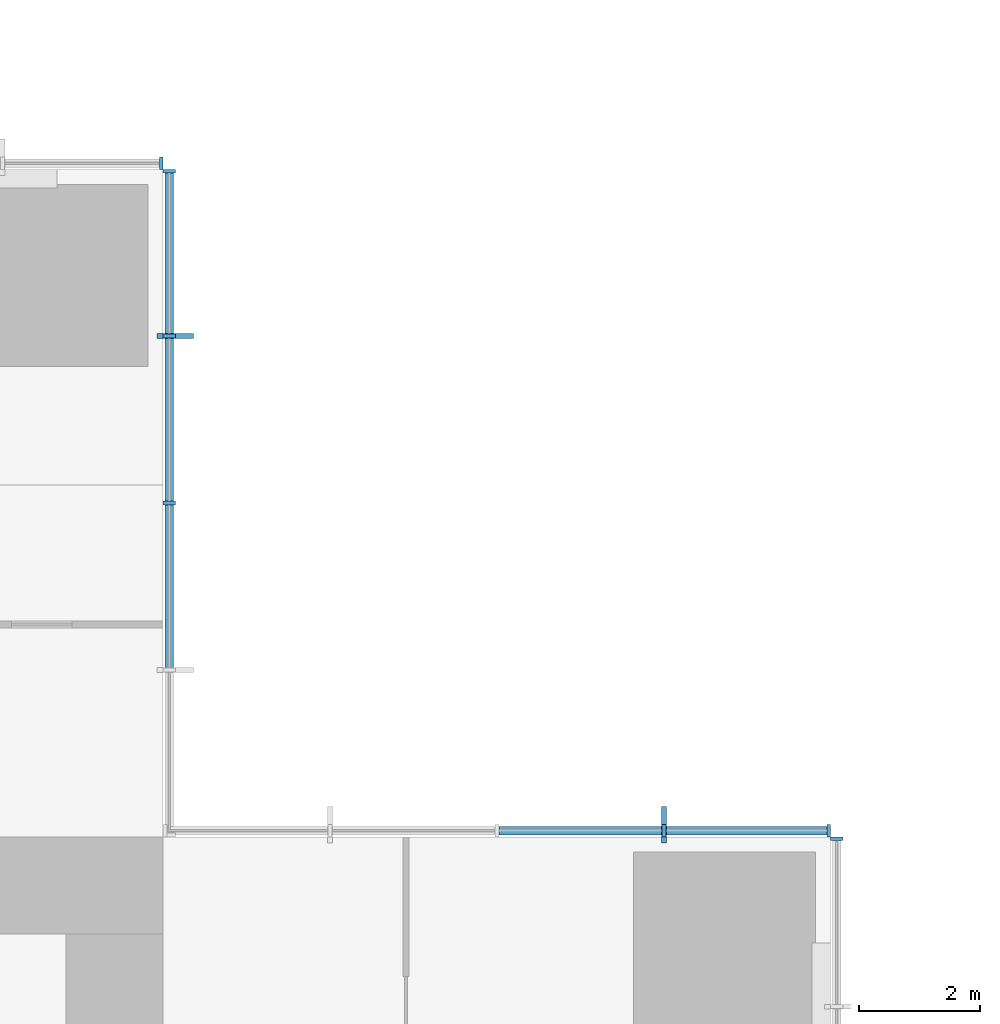
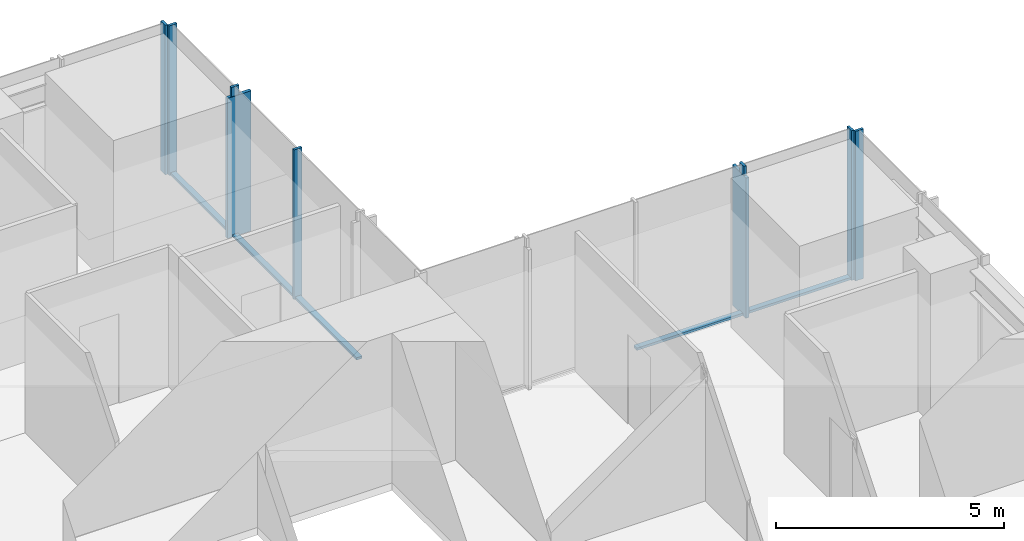
# One storey, part 6 of 14: 14 members, 4 elements without a shape of their own.
"""IFC4 building model written with IfcOpenShell, lengths in metres."""

from ifc_helpers import new_model, si_unit, direction, frame, origin, origin_2d, place, context, subcontext, project, spatial, rectangle, extrude, material, material_profile, profile_set, type_object, element, aggregate, save


model = new_model("IFC4")

# Units and contexts
model_context = context("Model", 3, precision=1e-05, world=origin(), true_north=direction((0.0, 1.0)))
body_context = subcontext(model_context, "Body", "Model", "MODEL_VIEW")
ifc_project = project(units=[si_unit("LENGTHUNIT", "METRE"), si_unit("AREAUNIT", "SQUARE_METRE"), si_unit("VOLUMEUNIT", "CUBIC_METRE"), si_unit("PLANEANGLEUNIT", "RADIAN"), si_unit("MASSUNIT", "GRAM", prefix="KILO")], contexts=[model_context])

# Site, building, storey
site_placement = place(None, origin())
site = spatial("IfcSite", under=ifc_project, at=site_placement, CompositionType="ELEMENT")
building_placement = place(site_placement, origin())
building = spatial("IfcBuilding", under=site, at=building_placement, Name="Svetlomir Tower", CompositionType="ELEMENT")
storey_placement = place(building_placement, frame((0.0, 0.0, 108.5)))
storey = spatial("IfcBuildingStorey", under=building, at=storey_placement, Name="L25", CompositionType="ELEMENT", Elevation=108.5)

# Curtain wall, member
ifc_material_1 = material(Name="Bronze anodised aluminium curtain wall", Category="aluminium")
curtain_wall_type = type_object("IfcCurtainWallType", Name="CURTAIN WALL CW1 TOWER OFFICE", PredefinedType="NOTDEFINED", material=ifc_material_1)
curtain_wall_1_placement = place(storey_placement, origin())
curtain_wall_1 = element("IfcCurtainWall", 1, at=curtain_wall_1_placement, inside=storey, type_object=curtain_wall_type, Name="Curtain wall CW1 L25", PredefinedType="NOTDEFINED")
ifc_material_2 = material(Name="Bronze anodised aluminium", Category="aluminium")
ifc_material_profile_1 = material_profile(ifc_material_2, rectangle(XDim=0.080078125, YDim=0.60009765625, at=origin_2d()), Name="FIN 80x600")
ifc_profile_set_1 = profile_set([ifc_material_profile_1], Name="Bronze anodised aluminium 6063-T6")
member_type_1 = type_object("IfcMemberType", Name="BRONZE FIN 80x600", PredefinedType="USERDEFINED", material=ifc_profile_set_1)
member_1_placement = place(storey_placement, frame((39.25, 31.199951171875, 0.0), z_axis=(0.0, 0.0, 1.0), x_axis=(1.0, 0.0, 0.0)))
member_1 = element("IfcMember", 2, at=member_1_placement, type_object=member_type_1, Name="Bronze fin L25", ObjectType="FIN", PredefinedType="USERDEFINED", context=body_context, shape_type="SweptSolid", body=[
    extrude(rectangle(XDim=0.080078125, YDim=0.60009765625, at=origin_2d()), origin(), (0.0, 0.0, 1.0), 3.75),
])

curtain_wall_2_placement = place(storey_placement, origin())
curtain_wall_2 = element("IfcCurtainWall", 3, at=curtain_wall_2_placement, inside=storey, type_object=curtain_wall_type, Name="Curtain wall CW1 L25", PredefinedType="NOTDEFINED")
member_2_placement = place(storey_placement, frame((31.199951171875, 39.25, 0.0), z_axis=(0.0, 0.0, 1.0), x_axis=(0.0, 1.0, 0.0)))
member_2 = element("IfcMember", 4, at=member_2_placement, type_object=member_type_1, Name="Bronze fin L25", ObjectType="FIN", PredefinedType="USERDEFINED", context=body_context, shape_type="SweptSolid", body=[
    extrude(rectangle(XDim=0.080078125, YDim=0.60009765625, at=origin_2d()), origin(), (0.0, 0.0, 1.0), 3.75),
])

curtain_wall_3_placement = place(storey_placement, origin())
curtain_wall_3 = element("IfcCurtainWall", 5, at=curtain_wall_3_placement, inside=storey, type_object=curtain_wall_type, Name="Curtain wall CW1 L25", PredefinedType="NOTDEFINED")
ifc_material_3 = material(Name="Bronze anodised aluminium", Category="aluminium")
ifc_material_profile_2 = material_profile(ifc_material_3, rectangle(XDim=0.06494140625, YDim=0.199951171875, at=origin_2d()), Name="AL 65x200")
ifc_profile_set_2 = profile_set([ifc_material_profile_2], Name="Bronze anodised aluminium 6063-T6")
member_type_2 = type_object("IfcMemberType", Name="CW1 MULLION 65x200", PredefinedType="MULLION", material=ifc_profile_set_2)
member_3_placement = place(storey_placement, frame((42.10009765625, 30.967529296875, 0.0), z_axis=(0.0, 0.0, 1.0), x_axis=(0.0, 1.0, 0.0)))
member_3 = element("IfcMember", 6, at=member_3_placement, type_object=member_type_2, Name="CW1 mullion 3", PredefinedType="MULLION", context=body_context, shape_type="SweptSolid", body=[
    extrude(rectangle(XDim=0.06494140625, YDim=0.199951171875, at=origin_2d()), origin(), (0.0, 0.0, 1.0), 4.0),
])
aggregate(curtain_wall_3, [member_3])

# Member
member_4_placement = place(storey_placement, frame((41.967529296875, 31.10009765625, 0.0), z_axis=(0.0, 0.0, 1.0), x_axis=(-1.0, 0.0, 0.0)))
member_4 = element("IfcMember", 7, at=member_4_placement, type_object=member_type_2, Name="CW1 mullion 1", PredefinedType="MULLION", context=body_context, shape_type="SweptSolid", body=[
    extrude(rectangle(XDim=0.06494140625, YDim=0.199951171875, at=origin_2d()), origin(), (0.0, 0.0, 1.0), 4.0),
])

member_5_placement = place(storey_placement, frame((39.25, 31.10009765625, 0.0), z_axis=(0.0, 0.0, 1.0), x_axis=(-1.0, 0.0, 0.0)))
member_5 = element("IfcMember", 8, at=member_5_placement, type_object=member_type_2, Name="CW1 mullion 2", PredefinedType="MULLION", context=body_context, shape_type="SweptSolid", body=[
    extrude(rectangle(XDim=0.06494140625, YDim=0.199951171875, at=origin_2d()), origin(), (0.0, 0.0, 1.0), 4.0),
])

member_6_placement = place(storey_placement, frame((31.10009765625, 36.5, 0.0), z_axis=(0.0, 0.0, 1.0), x_axis=(0.0, 1.0, 0.0)))
member_6 = element("IfcMember", 9, at=member_6_placement, type_object=member_type_2, Name="CW1 mullion 3", PredefinedType="MULLION", context=body_context, shape_type="SweptSolid", body=[
    extrude(rectangle(XDim=0.06494140625, YDim=0.199951171875, at=origin_2d()), origin(), (0.0, 0.0, 1.0), 4.0),
])

member_7_placement = place(storey_placement, frame((31.10009765625, 39.25, 0.0), z_axis=(0.0, 0.0, 1.0), x_axis=(0.0, 1.0, 0.0)))
member_7 = element("IfcMember", 10, at=member_7_placement, type_object=member_type_2, Name="CW1 mullion 4", PredefinedType="MULLION", context=body_context, shape_type="SweptSolid", body=[
    extrude(rectangle(XDim=0.06494140625, YDim=0.199951171875, at=origin_2d()), origin(), (0.0, 0.0, 1.0), 4.0),
])

member_8_placement = place(storey_placement, frame((31.10009765625, 41.967529296875, 0.0), z_axis=(0.0, 0.0, 1.0), x_axis=(0.0, 1.0, 0.0)))
member_8 = element("IfcMember", 11, at=member_8_placement, type_object=member_type_2, Name="CW1 mullion 5", PredefinedType="MULLION", context=body_context, shape_type="SweptSolid", body=[
    extrude(rectangle(XDim=0.06494140625, YDim=0.199951171875, at=origin_2d()), origin(), (0.0, 0.0, 1.0), 4.0),
])

# Curtain wall, member
curtain_wall_4_placement = place(storey_placement, origin())
curtain_wall_4 = element("IfcCurtainWall", 12, at=curtain_wall_4_placement, inside=storey, type_object=curtain_wall_type, Name="Curtain wall CW1 L25", PredefinedType="NOTDEFINED")
member_9_placement = place(storey_placement, frame((30.967529296875, 42.10009765625, 0.0), z_axis=(0.0, 0.0, 1.0), x_axis=(-1.0, 0.0, 0.0)))
member_9 = element("IfcMember", 13, at=member_9_placement, type_object=member_type_2, Name="CW1 mullion 1", PredefinedType="MULLION", context=body_context, shape_type="SweptSolid", body=[
    extrude(rectangle(XDim=0.06494140625, YDim=0.199951171875, at=origin_2d()), origin(), (0.0, 0.0, 1.0), 4.0),
])
aggregate(curtain_wall_4, [member_9])

# Member
ifc_material_4 = material(Name="Bronze anodised aluminium", Category="aluminium")
ifc_material_profile_3 = material_profile(ifc_material_4, rectangle(XDim=0.139892578125, YDim=0.06494140625, at=origin_2d()), Name="AL 140x65")
ifc_profile_set_3 = profile_set([ifc_material_profile_3], Name="Bronze anodised aluminium 6063-T6")
member_type_3 = type_object("IfcMemberType", Name="CW1 TRANSOM 65x140", PredefinedType="USERDEFINED", material=ifc_profile_set_3)
member_10_placement = place(storey_placement, frame((41.93505859375, 31.10009765625, 0.032470703125), z_axis=(-1.0, 0.0, 0.0), x_axis=(0.0, -1.0, 0.0)))
member_10 = element("IfcMember", 14, at=member_10_placement, type_object=member_type_3, Name="CW1 transom 1.1", ObjectType="TRANSOM", PredefinedType="USERDEFINED", context=body_context, shape_type="SweptSolid", body=[
    extrude(rectangle(XDim=0.139892578125, YDim=0.06494140625, at=origin_2d()), origin(), (0.0, 0.0, 1.0), 2.652587890625),
])

member_11_placement = place(storey_placement, frame((39.217529296875, 31.10009765625, 0.032470703125), z_axis=(-1.0, 0.0, 0.0), x_axis=(0.0, -1.0, 0.0)))
member_11 = element("IfcMember", 15, at=member_11_placement, type_object=member_type_3, Name="CW1 transom 2.1", ObjectType="TRANSOM", PredefinedType="USERDEFINED", context=body_context, shape_type="SweptSolid", body=[
    extrude(rectangle(XDim=0.139892578125, YDim=0.06494140625, at=origin_2d()), origin(), (0.0, 0.0, 1.0), 2.68505859375),
])

aggregate(curtain_wall_1, [member_4, member_5, member_10, member_11, member_1])

member_12_placement = place(storey_placement, frame((31.10009765625, 33.782470703125, 0.032470703125), z_axis=(0.0, 1.0, 0.0), x_axis=(-1.0, 0.0, 0.0)))
member_12 = element("IfcMember", 16, at=member_12_placement, type_object=member_type_3, Name="CW1 transom 2.1", ObjectType="TRANSOM", PredefinedType="USERDEFINED", context=body_context, shape_type="SweptSolid", body=[
    extrude(rectangle(XDim=0.139892578125, YDim=0.06494140625, at=origin_2d()), origin(), (0.0, 0.0, 1.0), 2.68505859375),
])

member_13_placement = place(storey_placement, frame((31.10009765625, 36.532470703125, 0.032470703125), z_axis=(0.0, 1.0, 0.0), x_axis=(-1.0, 0.0, 0.0)))
member_13 = element("IfcMember", 17, at=member_13_placement, type_object=member_type_3, Name="CW1 transom 3.1", ObjectType="TRANSOM", PredefinedType="USERDEFINED", context=body_context, shape_type="SweptSolid", body=[
    extrude(rectangle(XDim=0.139892578125, YDim=0.06494140625, at=origin_2d()), origin(), (0.0, 0.0, 1.0), 2.68505859375),
])

member_14_placement = place(storey_placement, frame((31.10009765625, 39.282470703125, 0.032470703125), z_axis=(0.0, 1.0, 0.0), x_axis=(-1.0, 0.0, 0.0)))
member_14 = element("IfcMember", 18, at=member_14_placement, type_object=member_type_3, Name="CW1 transom 4.1", ObjectType="TRANSOM", PredefinedType="USERDEFINED", context=body_context, shape_type="SweptSolid", body=[
    extrude(rectangle(XDim=0.139892578125, YDim=0.06494140625, at=origin_2d()), origin(), (0.0, 0.0, 1.0), 2.652587890625),
])

aggregate(curtain_wall_2, [member_6, member_7, member_8, member_12, member_13, member_14, member_2])

save(model, "model.ifc")
